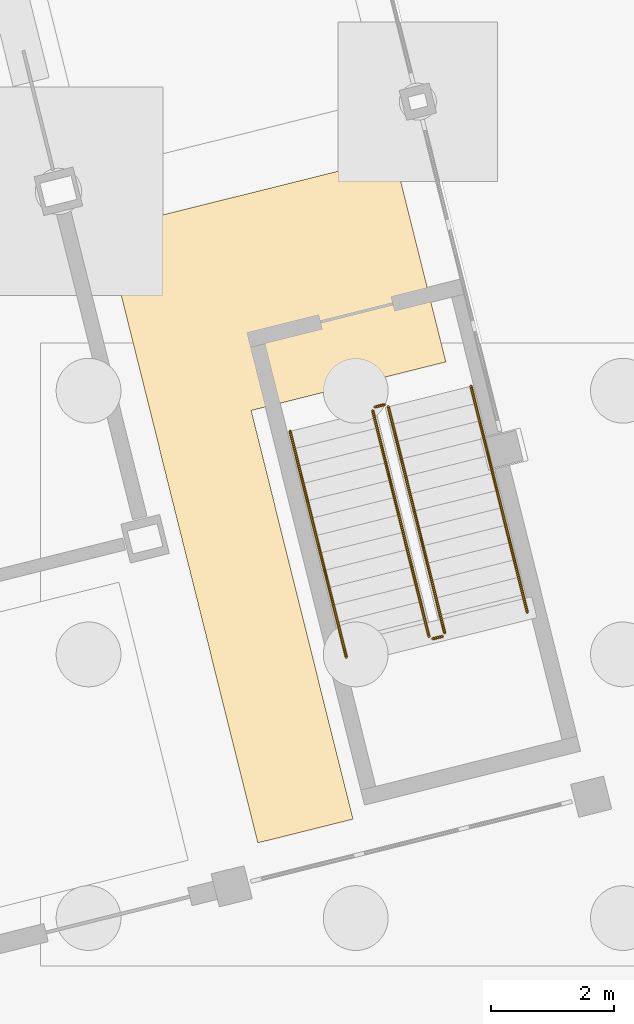
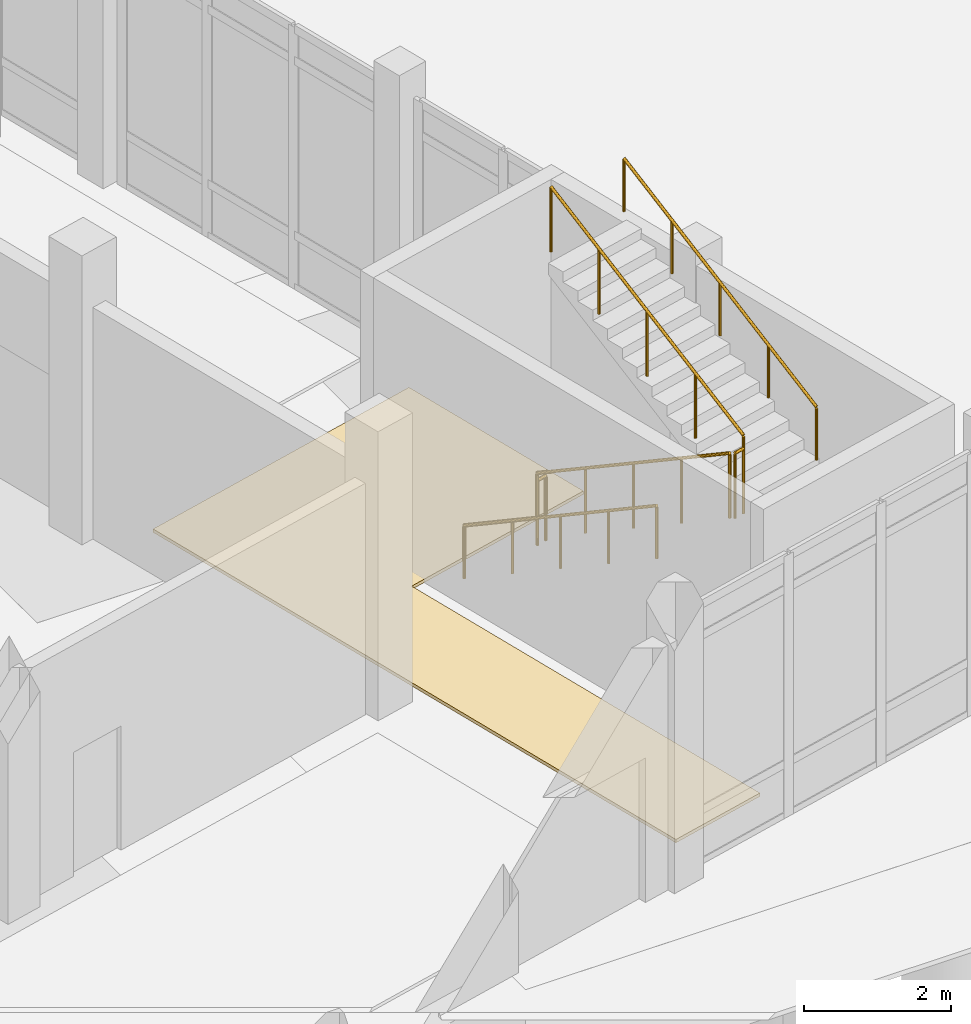
# One storey, part 58 of 72: 6 railings, 1 covering.
"""IFC4 building model written with IfcOpenShell, lengths in metres."""

from ifc_helpers import new_model, si_unit, direction, frame, origin, origin_2d, place, context, subcontext, project, spatial, polyline, circle, outline, extrude, material, layer, layer_set, type_object, element, save


model = new_model("IFC4")

# Units and contexts
model_context = context("Model", 3, precision=1e-05, world=origin(), true_north=direction((0.0, 1.0)))
body_context = subcontext(model_context, "Body", "Model", "MODEL_VIEW")
ifc_project = project(units=[si_unit("LENGTHUNIT", "METRE"), si_unit("AREAUNIT", "SQUARE_METRE"), si_unit("VOLUMEUNIT", "CUBIC_METRE"), si_unit("PLANEANGLEUNIT", "RADIAN"), si_unit("MASSUNIT", "GRAM", prefix="KILO")], contexts=[model_context])

# Site, building, storey
site_placement = place(None, origin())
site = spatial("IfcSite", under=ifc_project, at=site_placement, CompositionType="ELEMENT")
building_placement = place(site_placement, origin())
building = spatial("IfcBuilding", under=site, at=building_placement, Name="Cinderway Yard Community Centre", CompositionType="ELEMENT")
storey_placement = place(building_placement, origin())
storey = spatial("IfcBuildingStorey", under=building, at=storey_placement, Name="L00", CompositionType="ELEMENT", Elevation=0.0)

# Covering
ifc_material_1 = material(Name="Sprung Hardwood Court Floor", Category="wood")
ifc_layer = layer(ifc_material_1, 0.054931640625, Name="Sprung Hardwood Court Floor")
ifc_layer_set = layer_set([ifc_layer], Name="Sprung Hardwood Court Floor")
covering_type = type_object("IfcCoveringType", Name="INT-COV-FLR-SPR", PredefinedType="FLOORING", material=ifc_layer_set)
covering_placement = place(storey_placement, origin())
element("IfcCovering", 1, at=covering_placement, inside=storey, type_object=covering_type, Name="Hall Entrance Lobby Floor Finish", PredefinedType="FLOORING", context=body_context, shape_type="SweptSolid", body=[
    extrude(outline(polyline([(46.325927734375, 36.902099609375), (51.02197265625, 38.072021484375), (51.84912109375, 34.7548828125), (48.696044921875, 33.968994140625), (50.345947265625, 27.35009765625), (48.803955078125, 26.966064453125), (46.325927734375, 36.902099609375)])), origin(), (0.0, 0.0, 1.0), 0.054931640625),
])

# Railings
ifc_material_2 = material(Name="Painted Galvanised Steel", Category="steel")
railing_type_1 = type_object("IfcRailingType", Name="INT-RAL-GRD112", PredefinedType="GUARDRAIL", material=ifc_material_2)
railing_1_placement = place(storey_placement, frame((50.66552734375, 33.96484375, 0.17138671875)))
element("IfcRailing", 2, at=railing_1_placement, inside=storey, type_object=railing_type_1, Name="L00 ST-05 stair guard 1", PredefinedType="GUARDRAIL", context=body_context, shape_type="SweptSolid", body=[
    extrude(circle(Radius=0.02392578125, at=origin_2d()), frame((0.0, 0.0, 1.076171875), z_axis=(0.208274064766, -0.835270426229, 0.508866612202), x_axis=(0.97029088394, 0.241941316319, 0.0)), (0.0, 0.0, 1.0), 4.37939453125),
    extrude(circle(Radius=0.02099609375, at=origin_2d()), origin(), (0.0, 0.0, 1.0), 1.052001953125),
    extrude(circle(Radius=0.02099609375, at=origin_2d()), frame((0.22802734375, -0.91455078125, 0.55712890625)), (0.0, 0.0, 1.0), 1.052001953125),
    extrude(circle(Radius=0.02099609375, at=origin_2d()), frame((0.4560546875, -1.8291015625, 1.1142578125)), (0.0, 0.0, 1.0), 1.052001953125),
    extrude(circle(Radius=0.02099609375, at=origin_2d()), frame((0.68408203125, -2.743408203125, 1.67138671875)), (0.0, 0.0, 1.0), 1.052001953125),
    extrude(circle(Radius=0.02099609375, at=origin_2d()), frame((0.912109375, -3.657958984375, 2.228515625)), (0.0, 0.0, 1.0), 1.052001953125),
])
railing_2_placement = place(storey_placement, frame((51.63818359375, 30.2705078125, 2.39990234375)))
element("IfcRailing", 3, at=railing_2_placement, inside=storey, type_object=railing_type_1, Name="L00 ST-05 stair guard 2", PredefinedType="GUARDRAIL", context=body_context, shape_type="SweptSolid", body=[
    extrude(circle(Radius=0.02392578125, at=origin_2d()), frame((0.0, 0.0, 1.076171875), z_axis=(0.970500482778, 0.241099176539, 0.0), x_axis=(-0.241099176539, 0.970500482778, 0.0)), (0.0, 0.0, 1.0), 0.159912109375),
    extrude(circle(Radius=0.02099609375, at=origin_2d()), origin(), (0.0, 0.0, 1.0), 1.052001953125),
    extrude(circle(Radius=0.02099609375, at=origin_2d()), frame((0.1552734375, 0.03857421875, 0.0)), (0.0, 0.0, 1.0), 1.052001953125),
])
railing_3_placement = place(storey_placement, frame((51.829833984375, 30.369873046875, 2.571533203125)))
element("IfcRailing", 4, at=railing_3_placement, inside=storey, type_object=railing_type_1, Name="L00 ST-05 stair guard 3", PredefinedType="GUARDRAIL", context=body_context, shape_type="SweptSolid", body=[
    extrude(circle(Radius=0.02392578125, at=origin_2d()), frame((0.0, 0.0, 1.076171875), z_axis=(-0.208274064766, 0.835270426229, 0.508866612202), x_axis=(-0.97029088394, -0.241941316319, 0.0)), (0.0, 0.0, 1.0), 4.37939453125),
    extrude(circle(Radius=0.02099609375, at=origin_2d()), origin(), (0.0, 0.0, 1.0), 1.052001953125),
    extrude(circle(Radius=0.02099609375, at=origin_2d()), frame((-0.22802734375, 0.91455078125, 0.55712890625)), (0.0, 0.0, 1.0), 1.052001953125),
    extrude(circle(Radius=0.02099609375, at=origin_2d()), frame((-0.4560546875, 1.8291015625, 1.1142578125)), (0.0, 0.0, 1.0), 1.052001953125),
    extrude(circle(Radius=0.02099609375, at=origin_2d()), frame((-0.68408203125, 2.743408203125, 1.67138671875)), (0.0, 0.0, 1.0), 1.052001953125),
    extrude(circle(Radius=0.02099609375, at=origin_2d()), frame((-0.912109375, 3.657958984375, 2.228515625)), (0.0, 0.0, 1.0), 1.052001953125),
])
railing_4_placement = place(storey_placement, frame((50.701904296875, 34.025634765625, 0.0)))
element("IfcRailing", 5, at=railing_4_placement, inside=storey, type_object=railing_type_1, Name="L00 ST-05 stair guard 4", PredefinedType="GUARDRAIL", context=body_context, shape_type="SweptSolid", body=[
    extrude(circle(Radius=0.02392578125, at=origin_2d()), frame((0.0, 0.0, 1.076171875), z_axis=(0.970500482778, 0.241099176539, 0.0), x_axis=(-0.241099176539, 0.970500482778, 0.0)), (0.0, 0.0, 1.0), 0.159912109375),
    extrude(circle(Radius=0.02099609375, at=origin_2d()), origin(), (0.0, 0.0, 1.0), 1.052001953125),
    extrude(circle(Radius=0.02099609375, at=origin_2d()), frame((0.1552734375, 0.03857421875, 0.0)), (0.0, 0.0, 1.0), 1.052001953125),
])
railing_type_2 = type_object("IfcRailingType", Name="INT-RAL-HND090", PredefinedType="HANDRAIL", material=ifc_material_2)
railing_5_placement = place(storey_placement, frame((49.32666015625, 33.631103515625, 0.17138671875)))
element("IfcRailing", 6, at=railing_5_placement, inside=storey, type_object=railing_type_2, Name="L00 ST-05 stair handrail 1", PredefinedType="HANDRAIL", context=body_context, shape_type="SweptSolid", body=[
    extrude(circle(Radius=0.02392578125, at=origin_2d()), frame((0.0, 0.0, 0.8759765625), z_axis=(0.208220734198, -0.835280123288, 0.508872519881), x_axis=(0.970306084768, 0.241880346166, 0.0)), (0.0, 0.0, 1.0), 4.37939453125),
    extrude(circle(Radius=0.02099609375, at=origin_2d()), origin(), (0.0, 0.0, 1.0), 0.851806640625),
    extrude(circle(Radius=0.02099609375, at=origin_2d()), frame((0.22802734375, -0.91455078125, 0.55712890625)), (0.0, 0.0, 1.0), 0.851806640625),
    extrude(circle(Radius=0.02099609375, at=origin_2d()), frame((0.4560546875, -1.8291015625, 1.1142578125)), (0.0, 0.0, 1.0), 0.851806640625),
    extrude(circle(Radius=0.02099609375, at=origin_2d()), frame((0.683837890625, -2.743408203125, 1.67138671875)), (0.0, 0.0, 1.0), 0.851806640625),
    extrude(circle(Radius=0.02099609375, at=origin_2d()), frame((0.911865234375, -3.657958984375, 2.228515625)), (0.0, 0.0, 1.0), 0.851806640625),
])
railing_6_placement = place(storey_placement, frame((53.1689453125, 30.70361328125, 2.571533203125)))
element("IfcRailing", 7, at=railing_6_placement, inside=storey, type_object=railing_type_2, Name="L00 ST-05 stair handrail 2", PredefinedType="HANDRAIL", context=body_context, shape_type="SweptSolid", body=[
    extrude(circle(Radius=0.02392578125, at=origin_2d()), frame((0.0, 0.0, 0.8759765625), z_axis=(-0.208274064766, 0.835270426229, 0.508866612202), x_axis=(-0.97029088394, -0.241941316319, 0.0)), (0.0, 0.0, 1.0), 4.37939453125),
    extrude(circle(Radius=0.02099609375, at=origin_2d()), origin(), (0.0, 0.0, 1.0), 0.851806640625),
    extrude(circle(Radius=0.02099609375, at=origin_2d()), frame((-0.22802734375, 0.91455078125, 0.55712890625)), (0.0, 0.0, 1.0), 0.851806640625),
    extrude(circle(Radius=0.02099609375, at=origin_2d()), frame((-0.4560546875, 1.8291015625, 1.1142578125)), (0.0, 0.0, 1.0), 0.851806640625),
    extrude(circle(Radius=0.02099609375, at=origin_2d()), frame((-0.68408203125, 2.743408203125, 1.67138671875)), (0.0, 0.0, 1.0), 0.851806640625),
    extrude(circle(Radius=0.02099609375, at=origin_2d()), frame((-0.912109375, 3.657958984375, 2.228515625)), (0.0, 0.0, 1.0), 0.851806640625),
])

save(model, "model.ifc")
